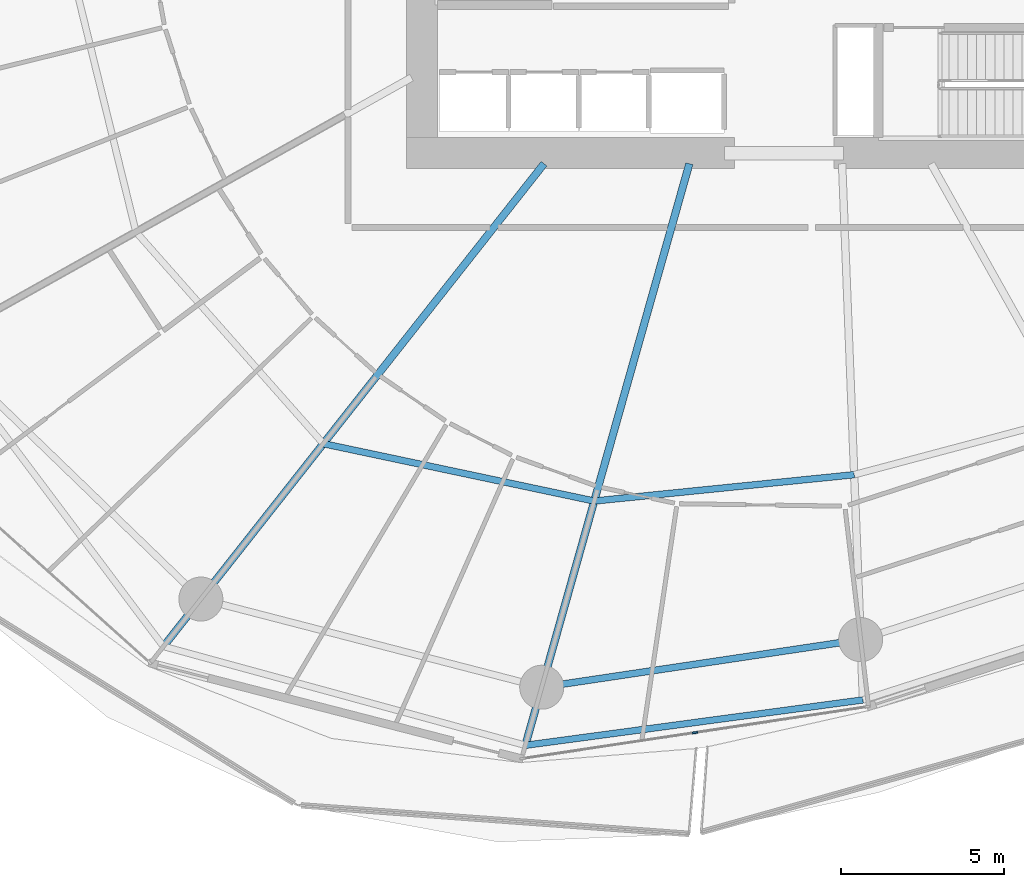
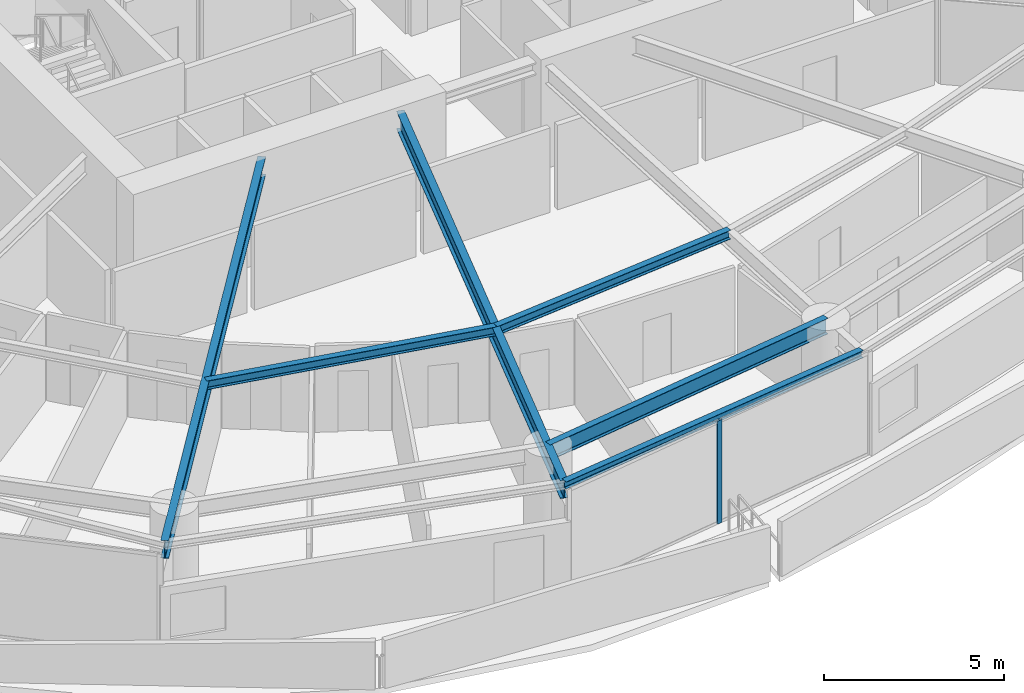
# One storey, part 8 of 31: 6 beams, 1 member, 1 element without a shape of its own.
"""IFC4 building model written with IfcOpenShell, lengths in metres."""

import ifcopenshell
import ifcopenshell.guid

model = None  # the IFC model being written
_history = None  # IfcOwnerHistory: only IFC2X3 demands one
_inside = {}  # id of a spatial element -> (the spatial element, [elements in it])
_under = {}  # id of a project, library or spatial element -> (it, [spatial elements below it])
_declared = {}  # id of a project -> (the project, [libraries it declares])
_typed = {}  # id of a type object -> (the type object, [elements of that type])
_made_of = {}  # id of a material, layer set ... -> (it, [elements and type objects made of it])


def new_model(schema):
    """Start an empty IFC model of exactly this schema.

    Asked for "IFC4X3", IfcOpenShell would pick the latest addendum, in which some entities
    have other attributes; the version numbers below select the first issue.
    IFC2X3 requires an IfcOwnerHistory on every rooted entity: one is made here for all.
    """
    global model, _history
    if schema == "IFC4X3":
        model = ifcopenshell.file(schema_version=(4, 3, 0, 0))
    else:
        model = ifcopenshell.file(schema=schema)
    _inside.clear()
    _under.clear()
    _declared.clear()
    _typed.clear()
    _made_of.clear()
    _history = None
    if model.schema == "IFC2X3":
        org = make("IfcOrganization", Name="unknown")
        user = make(
            "IfcPersonAndOrganization",
            ThePerson=make("IfcPerson", FamilyName="unknown"),
            TheOrganization=org,
        )
        app = make(
            "IfcApplication",
            ApplicationDeveloper=org,
            Version="unknown",
            ApplicationFullName="unknown",
            ApplicationIdentifier="unknown",
        )
        _history = make(
            "IfcOwnerHistory",
            OwningUser=user,
            OwningApplication=app,
            ChangeAction="ADDED",
            CreationDate=0,
        )
    return model


def make(cls, **values):
    """One entity of the class cls with the attributes given. An attribute that is None is left unset."""
    return model.create_entity(
        cls, **{name: value for name, value in values.items() if value is not None}
    )


def rooted(cls, **values):
    """An entity with a GlobalId (a new one), such as an element, a storey or a relation."""
    return make(cls, GlobalId=ifcopenshell.guid.new(), OwnerHistory=_history, **values)


def si_unit(unit_type, name, prefix=None):
    """IfcSIUnit, for example si_unit("LENGTHUNIT", "METRE", prefix="MILLI")."""
    return make("IfcSIUnit", UnitType=unit_type, Prefix=prefix, Name=name)


def assignment(units):
    """IfcUnitAssignment: the units of a project."""
    return None if units is None else make("IfcUnitAssignment", Units=units)


def point(xyz):
    """IfcCartesianPoint."""
    return None if xyz is None else make("IfcCartesianPoint", Coordinates=xyz)


def direction(xyz):
    """IfcDirection."""
    return None if xyz is None else make("IfcDirection", DirectionRatios=xyz)


def frame(location, z_axis=None, x_axis=None):
    """IfcAxis2Placement3D, a coordinate frame: its origin and axes. An axis left out is left unset."""
    return make(
        "IfcAxis2Placement3D",
        Location=point(location),
        Axis=direction(z_axis),
        RefDirection=direction(x_axis),
    )


def frame_2d(location, x_axis=None):
    """IfcAxis2Placement2D, a coordinate frame in the plane: its origin and x axis."""
    return make(
        "IfcAxis2Placement2D", Location=point(location), RefDirection=direction(x_axis)
    )


def origin():
    """The frame at (0, 0, 0) with its axes left unset."""
    return frame((0.0, 0.0, 0.0))


def origin_2d():
    """The frame at (0, 0) in the plane with its x axis left unset."""
    return frame_2d((0.0, 0.0))


def place(relative_to, where):
    """IfcLocalPlacement: puts the frame where relative to a parent placement (None: the world)."""
    return make(
        "IfcLocalPlacement", PlacementRelTo=relative_to, RelativePlacement=where
    )


def context(
    kind, dimensions, precision=None, world=None, true_north=None, identifier=None
):
    """IfcGeometricRepresentationContext, for example the 3D "Model" context."""
    return make(
        "IfcGeometricRepresentationContext",
        ContextIdentifier=identifier,
        ContextType=kind,
        CoordinateSpaceDimension=dimensions,
        Precision=precision,
        WorldCoordinateSystem=world,
        TrueNorth=true_north,
    )


def subcontext(parent, identifier, kind, view, scale=None):
    """IfcGeometricRepresentationSubContext, for example "Body" below "Model"."""
    return make(
        "IfcGeometricRepresentationSubContext",
        ContextIdentifier=identifier,
        ContextType=kind,
        ParentContext=parent,
        TargetScale=scale,
        TargetView=view,
    )


def project(units=None, contexts=None):
    """IfcProject with its units and contexts."""
    return rooted(
        "IfcProject",
        Name="project",
        RepresentationContexts=contexts,
        UnitsInContext=assignment(units),
    )


def spatial(cls, under=None, at=None, **own):
    """A site, building, storey or space (cls), placed at a placement, below another one or the project."""
    s = rooted(cls, ObjectPlacement=at, **own)
    if under is not None:
        _under.setdefault(under.id(), (under, []))[1].append(s)
    return s


def profile(cls, at=None, kind="AREA", **sizes):
    """A parametric profile (cls). Its sizes go by their IFC names, for example OverallWidth=200.0."""
    return make(cls, ProfileType=kind, Position=at, **sizes)


def rectangle(**sizes):
    """IfcRectangleProfileDef."""
    return profile("IfcRectangleProfileDef", **sizes)


def i_section(**sizes):
    """IfcIShapeProfileDef."""
    return profile("IfcIShapeProfileDef", **sizes)


def extrude(swept, where, along, depth):
    """IfcExtrudedAreaSolid: the profile swept, set in the frame where, extruded along a direction by depth."""
    return make(
        "IfcExtrudedAreaSolid",
        SweptArea=swept,
        Position=where,
        ExtrudedDirection=direction(along),
        Depth=depth,
    )


def shape(context_of_items, identifier, shape_type, items):
    """IfcShapeRepresentation: the items that make up one representation, for example the "Body"."""
    return make(
        "IfcShapeRepresentation",
        ContextOfItems=context_of_items,
        RepresentationIdentifier=identifier,
        RepresentationType=shape_type,
        Items=items,
    )


def material(Name=None, Category=None):
    """IfcMaterial."""
    return make("IfcMaterial", Name=Name, Category=Category)


def layer(
    of_material, thickness, ventilated=None, Name=None, Category=None, Priority=None
):
    """IfcMaterialLayer: one layer of a wall or slab, of a material (None: an air gap)."""
    return make(
        "IfcMaterialLayer",
        Material=of_material,
        LayerThickness=thickness,
        IsVentilated=ventilated,
        Name=Name,
        Category=Category,
        Priority=Priority,
    )


def layer_set(layers, Name=None):
    """IfcMaterialLayerSet."""
    return make("IfcMaterialLayerSet", MaterialLayers=layers, LayerSetName=Name)


def material_profile(
    of_material, cross_section, Name=None, Category=None, Priority=None
):
    """IfcMaterialProfile: a cross section and its material."""
    return make(
        "IfcMaterialProfile",
        Name=Name,
        Material=of_material,
        Profile=cross_section,
        Priority=Priority,
        Category=Category,
    )


def profile_set(profiles, Name=None, composite=None):
    """IfcMaterialProfileSet."""
    return make(
        "IfcMaterialProfileSet",
        Name=Name,
        MaterialProfiles=profiles,
        CompositeProfile=composite,
    )


def made_of(thing, what):
    """Note that an element or type object is made of a material, layer set ...; save() writes the relation."""
    if what is not None:
        _made_of.setdefault(what.id(), (what, []))[1].append(thing)
    return thing


def type_object(cls, material=None, **own):
    """A type object (cls), such as IfcWallType, which elements share."""
    return made_of(rooted(cls, **own), material)


def element(
    cls,
    number,
    at=None,
    inside=None,
    cuts=None,
    type_object=None,
    material=None,
    context=None,
    identifier="Body",
    shape_type=None,
    held_by="IfcProductDefinitionShape",
    body=None,
    shapes=None,
    **own,
):
    """One element of the class cls, such as IfcWall. Its Tag is "e" and its number.

    at: its placement. inside: the storey or other place that contains it. cuts: it is an
    opening in that element (IfcRelVoidsElement). A single representation is given by context,
    identifier, shape_type and body (its items); several are given by shapes. held_by: the class
    of the entity that holds the representations. save() writes the other relations.
    """
    e = rooted(cls, Tag="e%d" % number, ObjectPlacement=at, **own)
    if body is not None:
        shapes = [shape(context, identifier, shape_type, body)]
    if shapes is not None:
        e.Representation = make(held_by, Representations=shapes)
    if inside is not None:
        _inside.setdefault(inside.id(), (inside, []))[1].append(e)
    if cuts is not None:
        rooted(
            "IfcRelVoidsElement", RelatingBuildingElement=cuts, RelatedOpeningElement=e
        )
    if type_object is not None:
        _typed.setdefault(type_object.id(), (type_object, []))[1].append(e)
    return made_of(e, material)


def aggregate(whole, parts):
    """IfcRelAggregates: a whole, such as a stair, and the parts it consists of."""
    return rooted("IfcRelAggregates", RelatingObject=whole, RelatedObjects=parts)


def save(model, path):
    """Write the relations noted so far, then the file.

    IfcRelAggregates (storeys below a building ...), IfcRelContainedInSpatialStructure (elements
    in a storey), IfcRelDefinesByType, IfcRelAssociatesMaterial and IfcRelDeclares: one each for
    every whole, place, type object, material and project.
    """
    for whole, parts in _under.values():
        aggregate(whole, parts)
    for where, things in _inside.values():
        rooted(
            "IfcRelContainedInSpatialStructure",
            RelatedElements=things,
            RelatingStructure=where,
        )
    for kind, things in _typed.values():
        rooted("IfcRelDefinesByType", RelatedObjects=things, RelatingType=kind)
    for what, things in _made_of.values():
        rooted("IfcRelAssociatesMaterial", RelatedObjects=things, RelatingMaterial=what)
    for by, libraries in _declared.values():
        rooted("IfcRelDeclares", RelatingContext=by, RelatedDefinitions=libraries)
    model.write(path)


model = new_model("IFC4")

# Units and contexts
model_context = context("Model", 3, precision=1e-05, world=origin(), true_north=direction((0.0, 1.0)))
body_context = subcontext(model_context, "Body", "Model", "MODEL_VIEW")
ifc_project = project(units=[si_unit("LENGTHUNIT", "METRE"), si_unit("AREAUNIT", "SQUARE_METRE"), si_unit("VOLUMEUNIT", "CUBIC_METRE"), si_unit("PLANEANGLEUNIT", "RADIAN"), si_unit("MASSUNIT", "GRAM", prefix="KILO")], contexts=[model_context])

# Site, building, storey
site_placement = place(None, origin())
site = spatial("IfcSite", under=ifc_project, at=site_placement, CompositionType="ELEMENT")
building_placement = place(site_placement, origin())
building = spatial("IfcBuilding", under=site, at=building_placement, Name="Kazma Halo Residences", CompositionType="ELEMENT")
storey_placement = place(building_placement, frame((0.0, 0.0, 48.89990234375)))
storey = spatial("IfcBuildingStorey", under=building, at=storey_placement, Name="L11", CompositionType="ELEMENT", Elevation=48.89990234375)

# Beams
ifc_material_1 = material(Name="Steel S355", Category="steel")
ifc_material_profile_1 = material_profile(ifc_material_1, i_section(OverallWidth=0.201904296875, OverallDepth=0.2470703125, WebThickness=0.00732421875, FlangeThickness=0.010986328125, FilletRadius=0.011962890625, at=origin_2d()), Name="W250x49.1")
ifc_profile_set_1 = profile_set([ifc_material_profile_1], Name="Steel S355")
beam_type_1 = type_object("IfcBeamType", Name="BM-BAL-CANT", PredefinedType="BEAM", material=ifc_profile_set_1)
beam_1_placement = place(storey_placement, frame((40.489501953125, 15.3701171875, 3.376708984375), z_axis=(0.991080087388, 0.133267626912, 0.0), x_axis=(-0.133267626912, 0.991080087388, 0.0)))
element("IfcBeam", 1, at=beam_1_placement, inside=storey, type_object=beam_type_1, Name="L11 wave-balcony tie beam 11", PredefinedType="BEAM", context=body_context, shape_type="SweptSolid", body=[
    extrude(i_section(OverallWidth=0.201904296875, OverallDepth=0.2470703125, WebThickness=0.00732421875, FlangeThickness=0.010986328125, FilletRadius=0.011962890625, at=origin_2d()), origin(), (0.0, 0.0, 1.0), 10.444091796875),
])
ifc_material_profile_2 = material_profile(ifc_material_1, i_section(OverallWidth=0.22802734375, OverallDepth=0.60791015625, WebThickness=0.01123046875, FlangeThickness=0.017333984375, FilletRadius=0.01806640625, at=origin_2d()), Name="W610x113")
ifc_profile_set_2 = profile_set([ifc_material_profile_2], Name="Steel S355")
beam_type_2 = type_object("IfcBeamType", Name="BM-RAD-W610", PredefinedType="BEAM", material=ifc_profile_set_2)
beam_2_placement = place(storey_placement, frame((41.0625, 33.199951171875, 3.196044921875), z_axis=(-0.619092154321, -0.785318345932, 0.0), x_axis=(0.785318345932, -0.619092154321, 0.0)))
element("IfcBeam", 2, at=beam_2_placement, inside=storey, type_object=beam_type_2, Name="L11 radial floor beam 10", PredefinedType="BEAM", context=body_context, shape_type="SweptSolid", body=[
    extrude(i_section(OverallWidth=0.22802734375, OverallDepth=0.60791015625, WebThickness=0.01123046875, FlangeThickness=0.017333984375, FilletRadius=0.01806640625, at=origin_2d()), origin(), (0.0, 0.0, 1.0), 18.84375),
])
beam_3_placement = place(storey_placement, frame((45.51806640625, 33.199951171875, 3.196044921875), z_axis=(-0.271442010129, -0.962454796412, 0.0), x_axis=(0.962454796412, -0.271442010129, 0.0)))
element("IfcBeam", 3, at=beam_3_placement, inside=storey, type_object=beam_type_2, Name="L11 radial floor beam 11", PredefinedType="BEAM", context=body_context, shape_type="SweptSolid", body=[
    extrude(i_section(OverallWidth=0.22802734375, OverallDepth=0.60791015625, WebThickness=0.01123046875, FlangeThickness=0.017333984375, FilletRadius=0.01806640625, at=origin_2d()), origin(), (0.0, 0.0, 1.0), 18.525390625),
])
ifc_material_profile_3 = material_profile(ifc_material_1, i_section(OverallWidth=0.202880859375, OverallDepth=0.302978515625, WebThickness=0.007568359375, FlangeThickness=0.01318359375, FilletRadius=0.013916015625, at=origin_2d()), Name="W310x60")
ifc_profile_set_3 = profile_set([ifc_material_profile_3], Name="Steel S355")
beam_type_3 = type_object("IfcBeamType", Name="BM-SEC-W310A", PredefinedType="JOIST", material=ifc_profile_set_3)
beam_4_placement = place(storey_placement, frame((34.296142578125, 24.616943359375, 3.3486328125), z_axis=(0.97831665719, -0.207114746615, 0.0), x_axis=(0.207114746615, 0.97831665719, 0.0)))
element("IfcBeam", 4, at=beam_4_placement, inside=storey, type_object=beam_type_3, Name="L11 circumferential floor joist 10", PredefinedType="JOIST", context=body_context, shape_type="SweptSolid", body=[
    extrude(i_section(OverallWidth=0.202880859375, OverallDepth=0.302978515625, WebThickness=0.007568359375, FlangeThickness=0.01318359375, FilletRadius=0.013916015625, at=origin_2d()), origin(), (0.0, 0.0, 1.0), 8.489501953125),
])
beam_5_placement = place(storey_placement, frame((42.6015625, 22.858642578125, 3.3486328125), z_axis=(0.994907811148, 0.100789123008, 0.0), x_axis=(-0.100789123008, 0.994907811148, 0.0)))
element("IfcBeam", 5, at=beam_5_placement, inside=storey, type_object=beam_type_3, Name="L11 circumferential floor joist 11", PredefinedType="JOIST", context=body_context, shape_type="SweptSolid", body=[
    extrude(i_section(OverallWidth=0.202880859375, OverallDepth=0.302978515625, WebThickness=0.007568359375, FlangeThickness=0.01318359375, FilletRadius=0.013916015625, at=origin_2d()), origin(), (0.0, 0.0, 1.0), 8.010498046875),
])
ifc_material_profile_4 = material_profile(ifc_material_1, i_section(OverallWidth=0.208984375, OverallDepth=0.532958984375, WebThickness=0.01025390625, FlangeThickness=0.015625, FilletRadius=0.01611328125, at=origin_2d()), Name="W530x92")
ifc_profile_set_4 = profile_set([ifc_material_profile_4], Name="Steel S355")
beam_type_4 = type_object("IfcBeamType", Name="BM-SPN-W530", PredefinedType="BEAM", material=ifc_profile_set_4)
beam_6_placement = place(storey_placement, frame((40.99169921875, 17.150634765625, 3.233642578125), z_axis=(0.989033061974, 0.147694286693, 0.0), x_axis=(-0.147694286693, 0.989033061974, 0.0)))
element("IfcBeam", 6, at=beam_6_placement, inside=storey, type_object=beam_type_4, Name="L11 perimeter ring beam 11", PredefinedType="BEAM", context=body_context, shape_type="SweptSolid", body=[
    extrude(i_section(OverallWidth=0.208984375, OverallDepth=0.532958984375, WebThickness=0.01025390625, FlangeThickness=0.015625, FilletRadius=0.01611328125, at=origin_2d()), origin(), (0.0, 0.0, 1.0), 9.885009765625),
])

# Curtain wall, member
ifc_material_2 = material(Name="Aluminium AW-6063 T6 and Triple-Silver Low-E Glass", Category="aluminium")
ifc_layer = layer(ifc_material_2, 0.159912109375)
ifc_layer_set = layer_set([ifc_layer], Name="Aluminium AW-6063 T6 and Triple-Silver Low-E Glass")
curtain_wall_type = type_object("IfcCurtainWallType", Name="CW-SYS-2", PredefinedType="NOTDEFINED", material=ifc_layer_set)
curtain_wall_placement = place(storey_placement, origin())
curtain_wall = element("IfcCurtainWall", 7, at=curtain_wall_placement, inside=storey, type_object=curtain_wall_type, Name="L11 unitised curtain wall B11", PredefinedType="NOTDEFINED")
ifc_material_3 = material(Name="Aluminium AW-6063 T6", Category="aluminium")
ifc_material_profile_5 = material_profile(ifc_material_3, rectangle(XDim=0.06005859375, YDim=0.159912109375, at=origin_2d()), Name="CWM-60x160")
ifc_profile_set_5 = profile_set([ifc_material_profile_5], Name="Aluminium AW-6063 T6")
member_type = type_object("IfcMemberType", Name="CW-SYS-2-MUL", PredefinedType="MULLION", material=ifc_profile_set_5)
member_placement = place(storey_placement, frame((45.6923828125, 15.75732421875, 0.0), z_axis=(0.0, 0.0, 1.0), x_axis=(-0.148657272805, 0.988888777994, 0.0)))
member = element("IfcMember", 8, at=member_placement, type_object=member_type, Name="CWS-2 mullion 2", PredefinedType="MULLION", context=body_context, shape_type="SweptSolid", body=[
    extrude(rectangle(XDim=0.06005859375, YDim=0.159912109375, at=origin_2d()), origin(), (0.0, 0.0, 1.0), 3.5),
])
aggregate(curtain_wall, [member])

save(model, "model.ifc")
